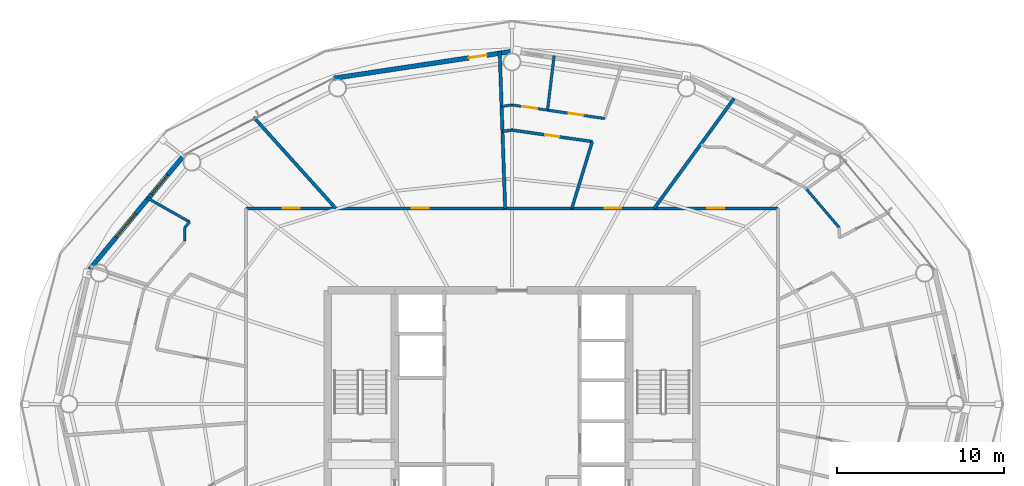
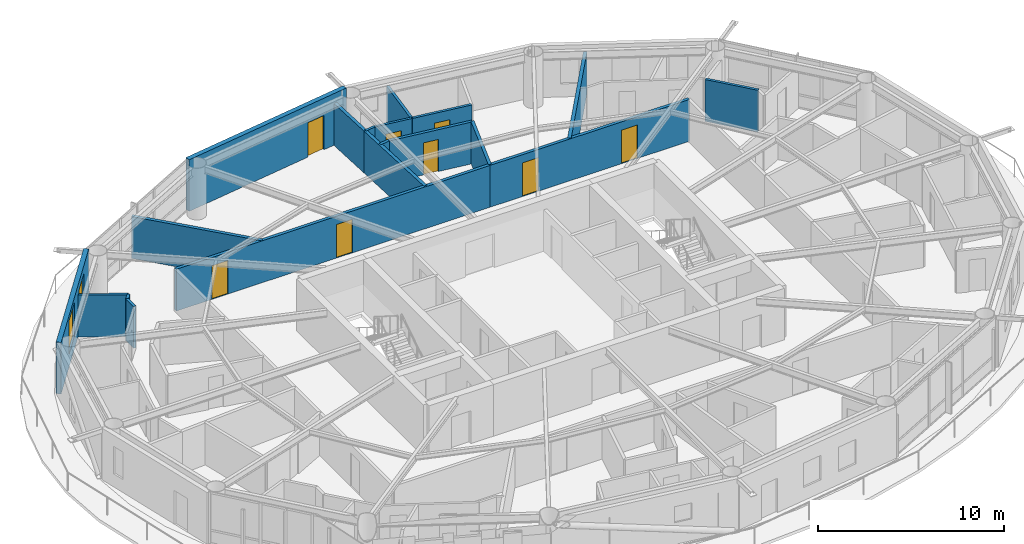
# One storey, part 24 of 29: 19 walls, 8 doors, 2 windows, 10 openings.
"""IFC4 building model written with IfcOpenShell, lengths in metres."""

from ifc_helpers import new_model, si_unit, direction, frame, frame_2d, origin, place, context, subcontext, project, spatial, rectangle, extrude, material, layer, layer_set, type_object, element, fill, save


model = new_model("IFC4")

# Units and contexts
model_context = context("Model", 3, precision=1e-05, world=origin(), true_north=direction((0.0, 1.0)))
body_context = subcontext(model_context, "Body", "Model", "MODEL_VIEW")
ifc_project = project(units=[si_unit("LENGTHUNIT", "METRE"), si_unit("AREAUNIT", "SQUARE_METRE"), si_unit("VOLUMEUNIT", "CUBIC_METRE"), si_unit("PLANEANGLEUNIT", "RADIAN"), si_unit("MASSUNIT", "GRAM", prefix="KILO")], contexts=[model_context])

# Site, building, storey
site_placement = place(None, origin())
site = spatial("IfcSite", under=ifc_project, at=site_placement, CompositionType="ELEMENT")
building_placement = place(site_placement, origin())
building = spatial("IfcBuilding", under=site, at=building_placement, Name="Sarneth Arch Tower", CompositionType="ELEMENT")
storey_placement = place(building_placement, frame((0.0, 0.0, 165.0)))
storey = spatial("IfcBuildingStorey", under=building, at=storey_placement, Name="L41", CompositionType="ELEMENT", Elevation=165.0)

# Wall, openings, doors
ifc_material_1 = material(Name="Double steel-stud corridor fire wall", Category="steel")
ifc_layer_1 = layer(ifc_material_1, 0.18994140625)
ifc_layer_set_1 = layer_set([ifc_layer_1], Name="Double steel-stud corridor fire wall")
wall_type_1 = type_object("IfcWallType", Name="WALL-CORR-190", PredefinedType="PARTITIONING", material=ifc_layer_set_1)
wall_1_placement = place(storey_placement, frame((32.10009765625, 53.699951171875, 0.0), z_axis=(0.0, 0.0, 1.0), x_axis=(1.0, 0.0, 0.0)))
wall_1 = element("IfcWall", 1, at=wall_1_placement, inside=storey, type_object=wall_type_1, Name="L41 Interior partition W-L41-TP-006", PredefinedType="PARTITIONING", context=body_context, shape_type="SweptSolid", body=[
    extrude(rectangle(XDim=19.476806640625, YDim=0.18994140625, at=frame_2d((9.73828125, 0.0))), origin(), (0.0, 0.0, 1.0), 2.739990234375),
])
opening_1_placement = place(wall_1_placement, frame((9.9228515625, 0.0, 0.0)))
opening_1 = element("IfcOpeningElement", 2, at=opening_1_placement, cuts=wall_1, Name="Opening FD-08", PredefinedType="OPENING", context=body_context, shape_type="SweptSolid", body=[
    extrude(rectangle(XDim=1.0, YDim=2.199951171875, at=frame_2d((0.5, 1.10009765625))), frame((0.0, 0.10498046875, 0.0), z_axis=(0.0, -1.0, 0.0), x_axis=(1.0, 0.0, 0.0)), (0.0, 0.0, 1.0), 0.2099609375),
])
opening_2_placement = place(wall_1_placement, frame((2.2041015625, 0.0, 0.0)))
opening_2 = element("IfcOpeningElement", 3, at=opening_2_placement, cuts=wall_1, Name="Opening FD-08", PredefinedType="OPENING", context=body_context, shape_type="SweptSolid", body=[
    extrude(rectangle(XDim=1.0, YDim=2.199951171875, at=frame_2d((0.5, 1.10009765625))), frame((0.0, 0.10498046875, 0.0), z_axis=(0.0, -1.0, 0.0), x_axis=(1.0, 0.0, 0.0)), (0.0, 0.0, 1.0), 0.2099609375),
])
ifc_material_2 = material(Name="Hardwood timber acoustic fire door", Category="wood")
door_type_1 = type_object("IfcDoorType", Name="DR-FD60-1000", OperationType="SINGLE_SWING_LEFT", PredefinedType="DOOR", material=ifc_material_2)
door_1_placement = place(opening_1_placement, origin())
door_1 = element("IfcDoor", 4, at=door_1_placement, inside=storey, type_object=door_type_1, Name="L41 Interior door DR-L41-RAMN-03", OperationType="SINGLE_SWING_RIGHT", OverallHeight=2.199951171875, OverallWidth=1.0, PredefinedType="DOOR", context=body_context, shape_type="SweptSolid", body=[
    extrude(rectangle(XDim=1.0, YDim=2.199951171875, at=frame_2d((0.5, 1.10009765625))), frame((0.0, 0.02490234375, 0.0), z_axis=(0.0, -1.0, 0.0), x_axis=(1.0, 0.0, 0.0)), (0.0, 0.0, 1.0), 0.050048828125),
])
fill(opening_1, door_1)
door_2_placement = place(opening_2_placement, origin())
door_2 = element("IfcDoor", 5, at=door_2_placement, inside=storey, type_object=door_type_1, Name="L41 Interior door DR-L41-U4-ENT", OperationType="SINGLE_SWING_LEFT", OverallHeight=2.199951171875, OverallWidth=1.0, PredefinedType="DOOR", context=body_context, shape_type="SweptSolid", body=[
    extrude(rectangle(XDim=1.0, YDim=2.199951171875, at=frame_2d((0.5, 1.10009765625))), frame((0.0, 0.02490234375, 0.0), z_axis=(0.0, -1.0, 0.0), x_axis=(1.0, 0.0, 0.0)), (0.0, 0.0, 1.0), 0.050048828125),
])
fill(opening_2, door_2)

wall_2_placement = place(storey_placement, frame((51.54345703125, 53.699951171875, 0.0), z_axis=(0.0, 0.0, 1.0), x_axis=(1.0, 0.0, 0.0)))
wall_2 = element("IfcWall", 6, at=wall_2_placement, inside=storey, type_object=wall_type_1, Name="L41 Interior partition W-L41-TP-001", PredefinedType="PARTITIONING", context=body_context, shape_type="SweptSolid", body=[
    extrude(rectangle(XDim=12.3564453125, YDim=0.18994140625, at=frame_2d((6.17822265625, 0.0))), origin(), (0.0, 0.0, 1.0), 2.739990234375),
])
opening_3_placement = place(wall_2_placement, frame((8.136962890625, 0.0, 0.0)))
opening_3 = element("IfcOpeningElement", 7, at=opening_3_placement, cuts=wall_2, Name="Opening FD-08", PredefinedType="OPENING", context=body_context, shape_type="SweptSolid", body=[
    extrude(rectangle(XDim=1.0, YDim=2.199951171875, at=frame_2d((0.5, 1.10009765625))), frame((0.0, 0.10498046875, 0.0), z_axis=(0.0, -1.0, 0.0), x_axis=(1.0, 0.0, 0.0)), (0.0, 0.0, 1.0), 0.2099609375),
])
opening_4_placement = place(wall_2_placement, frame((1.998291015625, 0.0, 0.0)))
opening_4 = element("IfcOpeningElement", 8, at=opening_4_placement, cuts=wall_2, Name="Opening FD-08", PredefinedType="OPENING", context=body_context, shape_type="SweptSolid", body=[
    extrude(rectangle(XDim=1.0, YDim=2.199951171875, at=frame_2d((0.5, 1.10009765625))), frame((0.0, 0.10498046875, 0.0), z_axis=(0.0, -1.0, 0.0), x_axis=(1.0, 0.0, 0.0)), (0.0, 0.0, 1.0), 0.2099609375),
])
door_3_placement = place(opening_3_placement, origin())
door_3 = element("IfcDoor", 9, at=door_3_placement, inside=storey, type_object=door_type_1, Name="L41 Interior door DR-L41-U1-ENT", OperationType="SINGLE_SWING_LEFT", OverallHeight=2.199951171875, OverallWidth=1.0, PredefinedType="DOOR", context=body_context, shape_type="SweptSolid", body=[
    extrude(rectangle(XDim=1.0, YDim=2.199951171875, at=frame_2d((0.5, 1.10009765625))), frame((0.0, 0.02490234375, 0.0), z_axis=(0.0, -1.0, 0.0), x_axis=(1.0, 0.0, 0.0)), (0.0, 0.0, 1.0), 0.050048828125),
])
fill(opening_3, door_3)
door_4_placement = place(opening_4_placement, origin())
door_4 = element("IfcDoor", 10, at=door_4_placement, inside=storey, type_object=door_type_1, Name="L41 Interior door DR-L41-U2-ENT", OperationType="SINGLE_SWING_RIGHT", OverallHeight=2.199951171875, OverallWidth=1.0, PredefinedType="DOOR", context=body_context, shape_type="SweptSolid", body=[
    extrude(rectangle(XDim=1.0, YDim=2.199951171875, at=frame_2d((0.5, 1.10009765625))), frame((0.0, 0.02490234375, 0.0), z_axis=(0.0, -1.0, 0.0), x_axis=(1.0, 0.0, 0.0)), (0.0, 0.0, 1.0), 0.050048828125),
])
fill(opening_4, door_4)

# Wall, opening, door
ifc_material_3 = material(Name="Extruded terracotta rainscreen on Concrete C40/50 backing", Category="masonry")
ifc_layer_2 = layer(ifc_material_3, 0.280029296875)
ifc_layer_set_2 = layer_set([ifc_layer_2], Name="Extruded terracotta rainscreen on Concrete C40/50 backing")
wall_type_2 = type_object("IfcWallType", Name="WALL-EXT-TERRA-280", PredefinedType="SOLIDWALL", material=ifc_layer_set_2)
wall_3_placement = place(storey_placement, frame((48.0, 63.080078125, 0.0), z_axis=(0.0, 0.0, 1.0), x_axis=(-0.988863993413, -0.148822049884, 0.0)))
wall_3 = element("IfcWall", 11, at=wall_3_placement, inside=storey, type_object=wall_type_2, Name="L41 Terracotta perimeter wall 05", PredefinedType="SOLIDWALL", context=body_context, shape_type="SweptSolid", body=[
    extrude(rectangle(XDim=10.782958984375, YDim=0.280029296875, at=frame_2d((5.3916015625, 0.0))), origin(), (0.0, 0.0, 1.0), 3.3798828125),
])
opening_5_placement = place(wall_3_placement, frame((1.523681640625, 0.0, 0.0)))
opening_5 = element("IfcOpeningElement", 12, at=opening_5_placement, cuts=wall_3, Name="Opening BD-3", PredefinedType="OPENING", context=body_context, shape_type="SweptSolid", body=[
    extrude(rectangle(XDim=1.10009765625, YDim=2.25, at=frame_2d((0.550048828125, 1.125))), frame((0.0, 0.14990234375, 0.0), z_axis=(0.0, -1.0, 0.0), x_axis=(1.0, 0.0, 0.0)), (0.0, 0.0, 1.0), 0.300048828125),
])
ifc_material_4 = material(Name="Thermally broken Aluminium 6063-T6 and laminated safety glass", Category="aluminium")
door_type_2 = type_object("IfcDoorType", Name="DR-BALC-GLZ-1100", OperationType="SINGLE_SWING_LEFT", PredefinedType="DOOR", material=ifc_material_4)
door_5_placement = place(opening_5_placement, origin())
door_5 = element("IfcDoor", 13, at=door_5_placement, inside=storey, type_object=door_type_2, Name="L41 Balcony glazed door 05", OperationType="SINGLE_SWING_LEFT", OverallHeight=2.25, OverallWidth=1.10009765625, PredefinedType="DOOR", context=body_context, shape_type="SweptSolid", body=[
    extrude(rectangle(XDim=1.10009765625, YDim=2.25, at=frame_2d((0.550048828125, 1.125))), frame((0.0, 0.02490234375, 0.0), z_axis=(0.0, -1.0, 0.0), x_axis=(1.0, 0.0, 0.0)), (0.0, 0.0, 1.0), 0.050048828125),
])
fill(opening_5, door_5)

# Wall, openings, windows
wall_4_placement = place(storey_placement, frame((28.423828125, 56.90576171875, 0.0), z_axis=(0.0, 0.0, 1.0), x_axis=(-0.637333477683, -0.770588111915, 0.0)))
wall_4 = element("IfcWall", 14, at=wall_4_placement, inside=storey, type_object=wall_type_2, Name="L41 Terracotta perimeter wall 07", PredefinedType="SOLIDWALL", context=body_context, shape_type="SweptSolid", body=[
    extrude(rectangle(XDim=8.874755859375, YDim=0.280029296875, at=frame_2d((4.4375, 0.0))), origin(), (0.0, 0.0, 1.0), 3.3798828125),
])
opening_6_placement = place(wall_4_placement, frame((1.56640625, 0.0, 0.85009765625)))
opening_6 = element("IfcOpeningElement", 15, at=opening_6_placement, cuts=wall_4, Name="Opening W-06", PredefinedType="OPENING", context=body_context, shape_type="SweptSolid", body=[
    extrude(rectangle(XDim=1.5, YDim=2.0, at=frame_2d((0.75, 1.0))), frame((0.0, 0.14990234375, 0.0), z_axis=(0.0, -1.0, 0.0), x_axis=(1.0, 0.0, 0.0)), (0.0, 0.0, 1.0), 0.300048828125),
])
opening_7_placement = place(wall_4_placement, frame((4.584228515625, 0.0, 0.85009765625)))
opening_7 = element("IfcOpeningElement", 16, at=opening_7_placement, cuts=wall_4, Name="Opening W-04", PredefinedType="OPENING", context=body_context, shape_type="SweptSolid", body=[
    extrude(rectangle(XDim=1.800048828125, YDim=2.199951171875, at=frame_2d((0.89990234375, 1.10009765625))), frame((0.0, 0.14990234375, 0.0), z_axis=(0.0, -1.0, 0.0), x_axis=(1.0, 0.0, 0.0)), (0.0, 0.0, 1.0), 0.300048828125),
])
ifc_material_5 = material(Name="Thermally broken Aluminium 6063-T6 and low-e laminated IGU", Category="aluminium")
window_type_1 = type_object("IfcWindowType", Name="WIN-TWR-1500x2000", PartitioningType="SINGLE_PANEL", PredefinedType="WINDOW", material=ifc_material_5)
window_1_placement = place(opening_6_placement, origin())
window_1 = element("IfcWindow", 17, at=window_1_placement, inside=storey, type_object=window_type_1, Name="L41 Exterior window 07A", OverallHeight=2.0, OverallWidth=1.5, PartitioningType="SINGLE_PANEL", PredefinedType="WINDOW", context=body_context, shape_type="SweptSolid", body=[
    extrude(rectangle(XDim=1.5, YDim=2.0, at=frame_2d((0.75, 1.0))), frame((0.0, 0.030029296875, 0.0), z_axis=(0.0, -1.0, 0.0), x_axis=(1.0, 0.0, 0.0)), (0.0, 0.0, 1.0), 0.06005859375),
])
fill(opening_6, window_1)
ifc_material_6 = material(Name="Thermally broken Aluminium 6063-T6 and low-e laminated IGU", Category="aluminium")
window_type_2 = type_object("IfcWindowType", Name="WIN-TWR-1800x2200", PartitioningType="DOUBLE_PANEL_VERTICAL", PredefinedType="WINDOW", material=ifc_material_6)
window_2_placement = place(opening_7_placement, origin())
window_2 = element("IfcWindow", 18, at=window_2_placement, inside=storey, type_object=window_type_2, Name="L41 Exterior window 07B", OverallHeight=2.199951171875, OverallWidth=1.800048828125, PartitioningType="SINGLE_PANEL", PredefinedType="WINDOW", context=body_context, shape_type="SweptSolid", body=[
    extrude(rectangle(XDim=1.800048828125, YDim=2.199951171875, at=frame_2d((0.89990234375, 1.10009765625))), frame((0.0, 0.030029296875, 0.0), z_axis=(0.0, -1.0, 0.0), x_axis=(1.0, 0.0, 0.0)), (0.0, 0.0, 1.0), 0.06005859375),
])
fill(opening_7, window_2)

# Wall, opening, door
ifc_material_7 = material(Name="Acoustic gypsum stud partition", Category="gypsum")
ifc_layer_3 = layer(ifc_material_7, 0.14990234375)
ifc_layer_set_3 = layer_set([ifc_layer_3], Name="Acoustic gypsum stud partition")
wall_type_3 = type_object("IfcWallType", Name="WALL-PART-150", PredefinedType="PARTITIONING", material=ifc_layer_set_3)
wall_5_placement = place(storey_placement, frame((50.1240234375, 59.5693359375, 0.0), z_axis=(0.0, 0.0, 1.0), x_axis=(-0.989480132544, 0.144668819379, 0.0)))
wall_5 = element("IfcWall", 19, at=wall_5_placement, inside=storey, type_object=wall_type_3, Name="L41 Interior partition W-L41-TP-046", PredefinedType="PARTITIONING", context=body_context, shape_type="SweptSolid", body=[
    extrude(rectangle(XDim=2.146484375, YDim=0.14990234375, at=frame_2d((1.0732421875, 0.0))), origin(), (0.0, 0.0, 1.0), 2.739990234375),
])
opening_8_placement = place(wall_5_placement, frame((0.623291015625, 0.0, 0.0)))
opening_8 = element("IfcOpeningElement", 20, at=opening_8_placement, cuts=wall_5, Name="Opening ID-01", PredefinedType="OPENING", context=body_context, shape_type="SweptSolid", body=[
    extrude(rectangle(XDim=0.89990234375, YDim=2.10009765625, at=frame_2d((0.449951171875, 1.050048828125))), frame((0.0, 0.0849609375, 0.0), z_axis=(0.0, -1.0, 0.0), x_axis=(1.0, 0.0, 0.0)), (0.0, 0.0, 1.0), 0.169921875),
])
ifc_material_8 = material(Name="Engineered hardwood flush door", Category="wood")
door_type_3 = type_object("IfcDoorType", Name="DR-INT-900", OperationType="SINGLE_SWING_LEFT", PredefinedType="DOOR", material=ifc_material_8)
door_6_placement = place(opening_8_placement, origin())
door_6 = element("IfcDoor", 21, at=door_6_placement, inside=storey, type_object=door_type_3, Name="L41 Interior door DR-L41-U2-BED1", OperationType="SINGLE_SWING_RIGHT", OverallHeight=2.10009765625, OverallWidth=0.89990234375, PredefinedType="DOOR", context=body_context, shape_type="SweptSolid", body=[
    extrude(rectangle(XDim=0.89990234375, YDim=2.10009765625, at=frame_2d((0.449951171875, 1.050048828125))), frame((0.0, 0.02490234375, 0.0), z_axis=(0.0, -1.0, 0.0), x_axis=(1.0, 0.0, 0.0)), (0.0, 0.0, 1.0), 0.050048828125),
])
fill(opening_8, door_6)

# Wall
wall_6_placement = place(storey_placement, frame((48.0, 59.8798828125, 0.0), z_axis=(0.0, 0.0, 1.0), x_axis=(-0.989477367745, -0.144687728302, 0.0)))
element("IfcWall", 22, at=wall_6_placement, inside=storey, type_object=wall_type_3, Name="L41 Interior partition W-L41-TP-047", PredefinedType="PARTITIONING", context=body_context, shape_type="SweptSolid", body=[
    extrude(rectangle(XDim=0.627685546875, YDim=0.14990234375, at=frame_2d((0.31396484375, 0.0))), origin(), (0.0, 0.0, 1.0), 2.739990234375),
])

# Wall, opening, door
ifc_material_9 = material(Name="Kitchen wet service chase wall", Category="gypsum")
ifc_layer_4 = layer(ifc_material_9, 0.159912109375)
ifc_layer_set_4 = layer_set([ifc_layer_4], Name="Kitchen wet service chase wall")
wall_type_4 = type_object("IfcWallType", Name="WALL-PLUMB-160", PredefinedType="PLUMBINGWALL", material=ifc_layer_set_4)
wall_7_placement = place(storey_placement, frame((53.528076171875, 59.0712890625, 0.0), z_axis=(0.0, 0.0, 1.0), x_axis=(-0.989465527394, 0.144768677895, 0.0)))
wall_7 = element("IfcWall", 23, at=wall_7_placement, inside=storey, type_object=wall_type_4, Name="L41 Interior partition W-L41-TP-042", PredefinedType="PLUMBINGWALL", context=body_context, shape_type="SweptSolid", body=[
    extrude(rectangle(XDim=3.440185546875, YDim=0.159912109375, at=frame_2d((1.72021484375, 0.0))), origin(), (0.0, 0.0, 1.0), 2.739990234375),
])
opening_9_placement = place(wall_7_placement, frame((1.27001953125, 0.0, 0.0)))
opening_9 = element("IfcOpeningElement", 24, at=opening_9_placement, cuts=wall_7, Name="Opening ID-01", PredefinedType="OPENING", context=body_context, shape_type="SweptSolid", body=[
    extrude(rectangle(XDim=0.89990234375, YDim=2.10009765625, at=frame_2d((0.449951171875, 1.050048828125))), frame((0.0, 0.08984375, 0.0), z_axis=(0.0, -1.0, 0.0), x_axis=(1.0, 0.0, 0.0)), (0.0, 0.0, 1.0), 0.179931640625),
])
door_7_placement = place(opening_9_placement, origin())
door_7 = element("IfcDoor", 25, at=door_7_placement, inside=storey, type_object=door_type_3, Name="L41 Interior door DR-L41-U2-KIT", OperationType="SINGLE_SWING_LEFT", OverallHeight=2.10009765625, OverallWidth=0.89990234375, PredefinedType="DOOR", context=body_context, shape_type="SweptSolid", body=[
    extrude(rectangle(XDim=0.89990234375, YDim=2.10009765625, at=frame_2d((0.449951171875, 1.050048828125))), frame((0.0, 0.02490234375, 0.0), z_axis=(0.0, -1.0, 0.0), x_axis=(1.0, 0.0, 0.0)), (0.0, 0.0, 1.0), 0.050048828125),
])
fill(opening_9, door_7)

# Walls
wall_8_placement = place(storey_placement, frame((50.1240234375, 59.5693359375, 0.0), z_axis=(0.0, 0.0, 1.0), x_axis=(0.120026534479, 0.992770684006, 0.0)))
element("IfcWall", 26, at=wall_8_placement, inside=storey, type_object=wall_type_4, Name="L41 Interior partition W-L41-TP-049", PredefinedType="PLUMBINGWALL", context=body_context, shape_type="SweptSolid", body=[
    extrude(rectangle(XDim=3.27685546875, YDim=0.159912109375, at=frame_2d((1.638427734375, 0.0))), origin(), (0.0, 0.0, 1.0), 2.739990234375),
])
wall_9_placement = place(storey_placement, frame((67.550048828125, 52.556640625, 0.0), z_axis=(0.0, 0.0, 1.0), x_axis=(-0.64791931309, 0.761708975742, 0.0)))
element("IfcWall", 27, at=wall_9_placement, inside=storey, type_object=wall_type_4, Name="L41 Interior partition W-L41-TP-025", PredefinedType="PLUMBINGWALL", context=body_context, shape_type="SweptSolid", body=[
    extrude(rectangle(XDim=3.008056640625, YDim=0.159912109375, at=frame_2d((1.50390625, 0.0))), origin(), (0.0, 0.0, 1.0), 2.739990234375),
])
wall_10_placement = place(storey_placement, frame((26.15234375, 54.3447265625, 0.0), z_axis=(0.0, 0.0, 1.0), x_axis=(0.870631902874, -0.491935046219, 0.0)))
element("IfcWall", 28, at=wall_10_placement, inside=storey, type_object=wall_type_4, Name="L41 Interior partition W-L41-TP-053", PredefinedType="PLUMBINGWALL", context=body_context, shape_type="SweptSolid", body=[
    extrude(rectangle(XDim=2.96240234375, YDim=0.159912109375, at=frame_2d((1.481201171875, 0.0))), origin(), (0.0, 0.0, 1.0), 2.739990234375),
])
wall_11_placement = place(storey_placement, frame((28.449951171875, 52.556640625, 0.0), z_axis=(0.0, 0.0, 1.0), x_axis=(0.0, -1.0, 0.0)))
element("IfcWall", 29, at=wall_11_placement, inside=storey, type_object=wall_type_4, Name="L41 Interior partition W-L41-TP-055", PredefinedType="PLUMBINGWALL", context=body_context, shape_type="SweptSolid", body=[
    extrude(rectangle(XDim=0.812255859375, YDim=0.159912109375, at=frame_2d((0.40625, 0.0))), origin(), (0.0, 0.0, 1.0), 2.739990234375),
])
wall_12_placement = place(storey_placement, frame((28.7314453125, 52.887451171875, 0.0), z_axis=(0.0, 0.0, 1.0), x_axis=(-0.648056208932, -0.761592509196, 0.0)))
element("IfcWall", 30, at=wall_12_placement, inside=storey, type_object=wall_type_4, Name="L41 Interior partition W-L41-TP-054", PredefinedType="PLUMBINGWALL", context=body_context, shape_type="SweptSolid", body=[
    extrude(rectangle(XDim=0.434326171875, YDim=0.159912109375, at=frame_2d((0.21728515625, 0.0))), origin(), (0.0, 0.0, 1.0), 2.739990234375),
])

# Wall, opening, door
ifc_material_10 = material(Name="Moisture-resistant plumbing chase wall", Category="gypsum")
ifc_layer_5 = layer(ifc_material_10, 0.179931640625)
ifc_layer_set_5 = layer_set([ifc_layer_5], Name="Moisture-resistant plumbing chase wall")
wall_type_5 = type_object("IfcWallType", Name="WALL-PLUMB-180", PredefinedType="PLUMBINGWALL", material=ifc_layer_set_5)
wall_13_placement = place(storey_placement, frame((48.0, 58.3798828125, 0.0), z_axis=(0.0, 0.0, 1.0), x_axis=(0.989829244093, -0.142260562131, 0.0)))
wall_13 = element("IfcWall", 31, at=wall_13_placement, inside=storey, type_object=wall_type_5, Name="L41 Interior partition W-L41-TP-044", PredefinedType="PLUMBINGWALL", context=body_context, shape_type="SweptSolid", body=[
    extrude(rectangle(XDim=4.846435546875, YDim=0.179931640625, at=frame_2d((2.42333984375, 0.0))), origin(), (0.0, 0.0, 1.0), 2.739990234375),
])
opening_10_placement = place(wall_13_placement, frame((1.998291015625, 0.0, 0.0)))
opening_10 = element("IfcOpeningElement", 32, at=opening_10_placement, cuts=wall_13, Name="Opening ID-02", PredefinedType="OPENING", context=body_context, shape_type="SweptSolid", body=[
    extrude(rectangle(XDim=0.85009765625, YDim=2.10009765625, at=frame_2d((0.425048828125, 1.050048828125))), frame((0.0, 0.099853515625, 0.0), z_axis=(0.0, -1.0, 0.0), x_axis=(1.0, 0.0, 0.0)), (0.0, 0.0, 1.0), 0.199951171875),
])
ifc_material_11 = material(Name="Moisture-resistant bathroom timber door", Category="wood")
door_type_4 = type_object("IfcDoorType", Name="DR-INT-850", OperationType="SINGLE_SWING_RIGHT", PredefinedType="DOOR", material=ifc_material_11)
door_8_placement = place(opening_10_placement, origin())
door_8 = element("IfcDoor", 33, at=door_8_placement, inside=storey, type_object=door_type_4, Name="L41 Interior door DR-L41-U2-BATH", OperationType="SINGLE_SWING_LEFT", OverallHeight=2.10009765625, OverallWidth=0.85009765625, PredefinedType="DOOR", context=body_context, shape_type="SweptSolid", body=[
    extrude(rectangle(XDim=0.85009765625, YDim=2.10009765625, at=frame_2d((0.425048828125, 1.050048828125))), frame((0.0, 0.02490234375, 0.0), z_axis=(0.0, -1.0, 0.0), x_axis=(1.0, 0.0, 0.0)), (0.0, 0.0, 1.0), 0.050048828125),
])
fill(opening_10, door_8)

# Walls
wall_14_placement = place(storey_placement, frame((52.797119140625, 57.6904296875, 0.0), z_axis=(0.0, 0.0, 1.0), x_axis=(-0.29241622154, -0.956291144673, 0.0)))
element("IfcWall", 34, at=wall_14_placement, inside=storey, type_object=wall_type_5, Name="L41 Interior partition W-L41-TP-045", PredefinedType="PLUMBINGWALL", context=body_context, shape_type="SweptSolid", body=[
    extrude(rectangle(XDim=4.1728515625, YDim=0.179931640625, at=frame_2d((2.08642578125, 0.0))), origin(), (0.0, 0.0, 1.0), 2.739990234375),
])
wall_15_placement = place(storey_placement, frame((47.430908203125, 58.298095703125, 0.0), z_axis=(0.0, 0.0, 1.0), x_axis=(0.989830245264, 0.142253595952, 0.0)))
element("IfcWall", 35, at=wall_15_placement, inside=storey, type_object=wall_type_5, Name="L41 Interior partition W-L41-TP-043", PredefinedType="PLUMBINGWALL", context=body_context, shape_type="SweptSolid", body=[
    extrude(rectangle(XDim=0.574951171875, YDim=0.179931640625, at=frame_2d((0.28759765625, 0.0))), origin(), (0.0, 0.0, 1.0), 2.739990234375),
])
ifc_material_12 = material(Name="Double steel-stud acoustic drywall", Category="steel")
ifc_layer_6 = layer(ifc_material_12, 0.199951171875)
ifc_layer_set_6 = layer_set([ifc_layer_6], Name="Double steel-stud acoustic drywall")
wall_type_6 = type_object("IfcWallType", Name="WALL-UNIT-200", PredefinedType="PARTITIONING", material=ifc_layer_set_6)
wall_16_placement = place(storey_placement, frame((37.46533203125, 53.699951171875, 0.0), z_axis=(0.0, 0.0, 1.0), x_axis=(-0.669128292476, 0.7431469089, 0.0)))
element("IfcWall", 36, at=wall_16_placement, inside=storey, type_object=wall_type_6, Name="L41 Interior partition W-L41-TP-052", PredefinedType="PARTITIONING", context=body_context, shape_type="SweptSolid", body=[
    extrude(rectangle(XDim=7.3388671875, YDim=0.199951171875, at=frame_2d((3.66943359375, 0.0))), origin(), (0.0, 0.0, 1.0), 2.739990234375),
])
wall_17_placement = place(storey_placement, frame((61.27392578125, 60.27001953125, 0.0), z_axis=(0.0, 0.0, 1.0), x_axis=(-0.587785528328, -0.809016793823, 0.0)))
element("IfcWall", 37, at=wall_17_placement, inside=storey, type_object=wall_type_6, Name="L41 Interior partition W-L41-TP-034", PredefinedType="PARTITIONING", context=body_context, shape_type="SweptSolid", body=[
    extrude(rectangle(XDim=8.12109375, YDim=0.199951171875, at=frame_2d((4.060546875, 0.0))), origin(), (0.0, 0.0, 1.0), 2.739990234375),
])
wall_18_placement = place(storey_placement, frame((47.377685546875, 59.8212890625, 0.0), z_axis=(0.0, 0.0, 1.0), x_axis=(0.034876866147, -0.999391617039, 0.0)))
element("IfcWall", 38, at=wall_18_placement, inside=storey, type_object=wall_type_6, Name="L41 Interior partition W-L41-TP-050", PredefinedType="PARTITIONING", context=body_context, shape_type="SweptSolid", body=[
    extrude(rectangle(XDim=6.125, YDim=0.199951171875, at=frame_2d((3.0625, 0.0))), origin(), (0.0, 0.0, 1.0), 2.739990234375),
])
wall_19_placement = place(storey_placement, frame((47.263427734375, 63.089599609375, 0.0), z_axis=(0.0, 0.0, 1.0), x_axis=(0.034921182562, -0.999390069497, 0.0)))
element("IfcWall", 39, at=wall_19_placement, inside=storey, type_object=wall_type_6, Name="L41 Interior partition W-L41-TP-051", PredefinedType="PARTITIONING", context=body_context, shape_type="SweptSolid", body=[
    extrude(rectangle(XDim=3.334716796875, YDim=0.199951171875, at=frame_2d((1.66748046875, 0.0))), origin(), (0.0, 0.0, 1.0), 2.739990234375),
])

save(model, "model.ifc")
